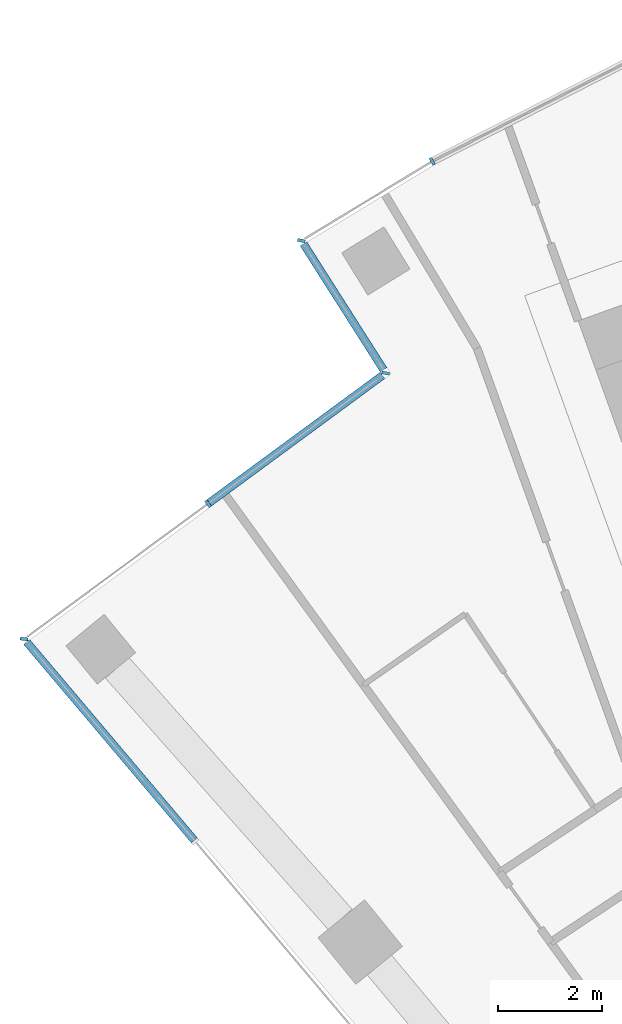
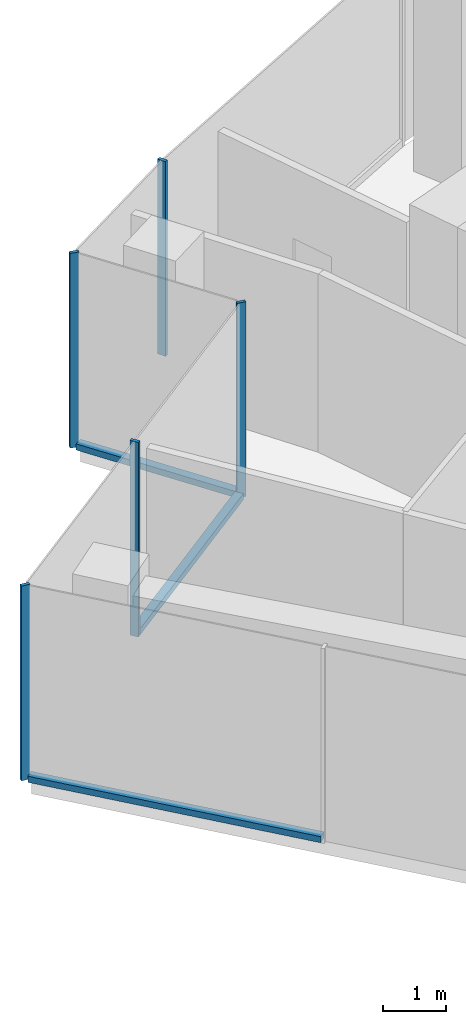
# One storey, part 3 of 16: 8 members, 4 elements without a shape of their own.
"""IFC4 building model written with IfcOpenShell, lengths in metres."""

from ifc_helpers import new_model, si_unit, direction, frame, origin, origin_2d, place, context, subcontext, project, spatial, rectangle, extrude, material, layer, layer_set, material_profile, profile_set, type_object, element, aggregate, save


model = new_model("IFC4")

# Units and contexts
model_context = context("Model", 3, precision=1e-05, world=origin(), true_north=direction((0.0, 1.0)))
body_context = subcontext(model_context, "Body", "Model", "MODEL_VIEW")
ifc_project = project(units=[si_unit("LENGTHUNIT", "METRE"), si_unit("AREAUNIT", "SQUARE_METRE"), si_unit("VOLUMEUNIT", "CUBIC_METRE"), si_unit("PLANEANGLEUNIT", "RADIAN"), si_unit("MASSUNIT", "GRAM", prefix="KILO")], contexts=[model_context])

# Site, building, storey
site_placement = place(None, origin())
site = spatial("IfcSite", under=ifc_project, at=site_placement, CompositionType="ELEMENT")
building_placement = place(site_placement, origin())
building = spatial("IfcBuilding", under=site, at=building_placement, Name="Stone Belt Terrace Tower", CompositionType="ELEMENT")
storey_placement = place(building_placement, frame((0.0, 0.0, 242.800048828125)))
storey = spatial("IfcBuildingStorey", under=building, at=storey_placement, Name="L59", CompositionType="ELEMENT", Elevation=242.800048828125)

# Curtain wall, member
ifc_material = material(Name="Aluminium 6063-T6 anodised frame", Category="aluminium")
ifc_layer_1 = layer(ifc_material, 0.14990234375)
ifc_layer_set_1 = layer_set([ifc_layer_1], Name="CW-A unitised convex-face curtain wall")
curtain_wall_type_1 = type_object("IfcCurtainWallType", Name="CW-A unitised convex-face curtain wall", PredefinedType="NOTDEFINED", material=ifc_layer_set_1)
curtain_wall_1_placement = place(storey_placement, origin())
curtain_wall_1 = element("IfcCurtainWall", 1, at=curtain_wall_1_placement, inside=storey, type_object=curtain_wall_type_1, Name="CW-A convex face L59", PredefinedType="NOTDEFINED")
ifc_material_profile_1 = material_profile(ifc_material, rectangle(XDim=0.14990234375, YDim=0.06005859375, at=origin_2d()), Name="Aluminium 6063-T6 60x150")
ifc_profile_set_1 = profile_set([ifc_material_profile_1], Name="Aluminium 6063-T6 anodised frame")
member_type_1 = type_object("IfcMemberType", Name="CW-A mullion 60 x 150", PredefinedType="MULLION", material=ifc_profile_set_1)
member_1_placement = place(storey_placement, frame((-33.28662109375, 57.65625, 0.0), z_axis=(0.0, 0.0, 1.0), x_axis=(0.486552313968, -0.873651444097, 0.0)))
member_1 = element("IfcMember", 2, at=member_1_placement, type_object=member_type_1, Name="CW-A mullion 14", PredefinedType="MULLION", context=body_context, shape_type="SweptSolid", body=[
    extrude(rectangle(XDim=0.14990234375, YDim=0.06005859375, at=origin_2d()), origin(), (0.0, 0.0, 1.0), 3.800048828125),
])
aggregate(curtain_wall_1, [member_1])

ifc_layer_2 = layer(ifc_material, 0.14990234375)
ifc_layer_set_2 = layer_set([ifc_layer_2], Name="CW-C stick curtain wall, horn ends and notches")
curtain_wall_type_2 = type_object("IfcCurtainWallType", Name="CW-C stick curtain wall, horn ends and notches", PredefinedType="NOTDEFINED", material=ifc_layer_set_2)
curtain_wall_2_placement = place(storey_placement, origin())
curtain_wall_2 = element("IfcCurtainWall", 3, at=curtain_wall_2_placement, inside=storey, type_object=curtain_wall_type_2, Name="CW-C notch face L59", PredefinedType="NOTDEFINED")
ifc_material_profile_2 = material_profile(ifc_material, rectangle(XDim=0.14990234375, YDim=0.06005859375, at=origin_2d()), Name="Aluminium 6063-T6 60x150")
ifc_profile_set_2 = profile_set([ifc_material_profile_2], Name="Aluminium 6063-T6 anodised frame")
member_type_2 = type_object("IfcMemberType", Name="CW-C mullion 60 x 150", PredefinedType="MULLION", material=ifc_profile_set_2)
member_2_placement = place(storey_placement, frame((-35.792724609375, 56.13671875, 0.0), z_axis=(0.0, 0.0, 1.0), x_axis=(0.973748724197, -0.227625618341, 0.0)))
member_2 = element("IfcMember", 4, at=member_2_placement, type_object=member_type_2, Name="CW-C mullion 1", PredefinedType="MULLION", context=body_context, shape_type="SweptSolid", body=[
    extrude(rectangle(XDim=0.14990234375, YDim=0.06005859375, at=origin_2d()), origin(), (0.0, 0.0, 1.0), 3.800048828125),
])

# Curtain wall, members
curtain_wall_3_placement = place(storey_placement, origin())
curtain_wall_3 = element("IfcCurtainWall", 5, at=curtain_wall_3_placement, inside=storey, type_object=curtain_wall_type_2, Name="CW-C notch face L59", PredefinedType="NOTDEFINED")
member_3_placement = place(storey_placement, frame((-34.17919921875, 53.599853515625, 0.0), z_axis=(0.0, 0.0, 1.0), x_axis=(0.98292084332, -0.184028844934, 0.0)))
member_3 = element("IfcMember", 6, at=member_3_placement, type_object=member_type_2, Name="CW-C mullion 1", PredefinedType="MULLION", context=body_context, shape_type="SweptSolid", body=[
    extrude(rectangle(XDim=0.14990234375, YDim=0.06005859375, at=origin_2d()), origin(), (0.0, 0.0, 1.0), 3.800048828125),
])
member_4_placement = place(storey_placement, frame((-37.58154296875, 51.097412109375, 0.0), z_axis=(0.0, 0.0, 1.0), x_axis=(0.592492190799, -0.805576193691, 0.0)))
member_4 = element("IfcMember", 7, at=member_4_placement, type_object=member_type_2, Name="CW-C mullion 2", PredefinedType="MULLION", context=body_context, shape_type="SweptSolid", body=[
    extrude(rectangle(XDim=0.14990234375, YDim=0.06005859375, at=origin_2d()), origin(), (0.0, 0.0, 1.0), 3.800048828125),
])

# Curtain wall, member
curtain_wall_4_placement = place(storey_placement, origin())
curtain_wall_4 = element("IfcCurtainWall", 8, at=curtain_wall_4_placement, inside=storey, type_object=curtain_wall_type_2, Name="CW-C end face L59", PredefinedType="NOTDEFINED")
member_5_placement = place(storey_placement, frame((-41.105224609375, 48.505859375, 0.0), z_axis=(0.0, 0.0, 1.0), x_axis=(0.993114825084, -0.117144970865, 0.0)))
member_5 = element("IfcMember", 9, at=member_5_placement, type_object=member_type_2, Name="CW-C mullion 1", PredefinedType="MULLION", context=body_context, shape_type="SweptSolid", body=[
    extrude(rectangle(XDim=0.14990234375, YDim=0.06005859375, at=origin_2d()), origin(), (0.0, 0.0, 1.0), 3.800048828125),
])

# Member
ifc_material_profile_3 = material_profile(ifc_material, rectangle(XDim=0.14990234375, YDim=0.1201171875, at=origin_2d()), Name="Aluminium 6063-T6 150x120")
ifc_profile_set_3 = profile_set([ifc_material_profile_3], Name="Aluminium 6063-T6 anodised frame")
member_type_3 = type_object("IfcMemberType", Name="CW-C transom 120 x 150", PredefinedType="USERDEFINED", material=ifc_profile_set_3)
member_6_placement = place(storey_placement, frame((-35.752685546875, 56.073974609375, 0.06005859375), z_axis=(0.536698665455, -0.843773987806, 0.0), x_axis=(0.843773987806, 0.536698665455, 0.0)))
member_6 = element("IfcMember", 10, at=member_6_placement, type_object=member_type_3, Name="CW-C transom 1.1", ObjectType="TRANSOM", PredefinedType="USERDEFINED", context=body_context, shape_type="SweptSolid", body=[
    extrude(rectangle(XDim=0.14990234375, YDim=0.1201171875, at=origin_2d()), origin(), (0.0, 0.0, 1.0), 2.85888671875),
])

aggregate(curtain_wall_2, [member_2, member_6])

member_7_placement = place(storey_placement, frame((-34.238037109375, 53.556640625, 0.06005859375), z_axis=(-0.805567834642, -0.59250355593, 0.0), x_axis=(0.59250355593, -0.805567834642, 0.0)))
member_7 = element("IfcMember", 11, at=member_7_placement, type_object=member_type_3, Name="CW-C transom 1.1", ObjectType="TRANSOM", PredefinedType="USERDEFINED", context=body_context, shape_type="SweptSolid", body=[
    extrude(rectangle(XDim=0.14990234375, YDim=0.1201171875, at=origin_2d()), origin(), (0.0, 0.0, 1.0), 4.12060546875),
])

aggregate(curtain_wall_3, [member_3, member_4, member_7])

member_8_placement = place(storey_placement, frame((-41.056640625, 48.448486328125, 0.06005859375), z_axis=(0.64560340546, -0.76367286377, 0.0), x_axis=(0.76367286377, 0.64560340546, 0.0)))
member_8 = element("IfcMember", 12, at=member_8_placement, type_object=member_type_3, Name="CW-C transom 1.1", ObjectType="TRANSOM", PredefinedType="USERDEFINED", context=body_context, shape_type="SweptSolid", body=[
    extrude(rectangle(XDim=0.14990234375, YDim=0.1201171875, at=origin_2d()), origin(), (0.0, 0.0, 1.0), 4.97509765625),
])

aggregate(curtain_wall_4, [member_5, member_8])

save(model, "model.ifc")
